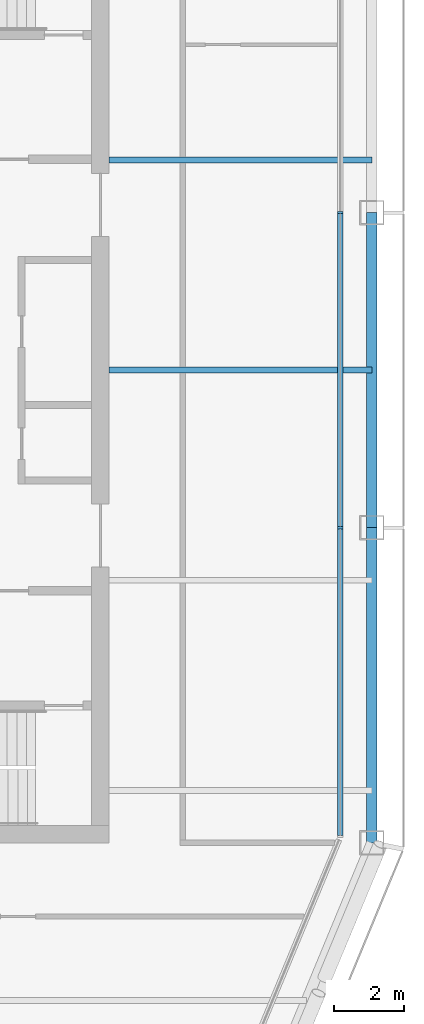
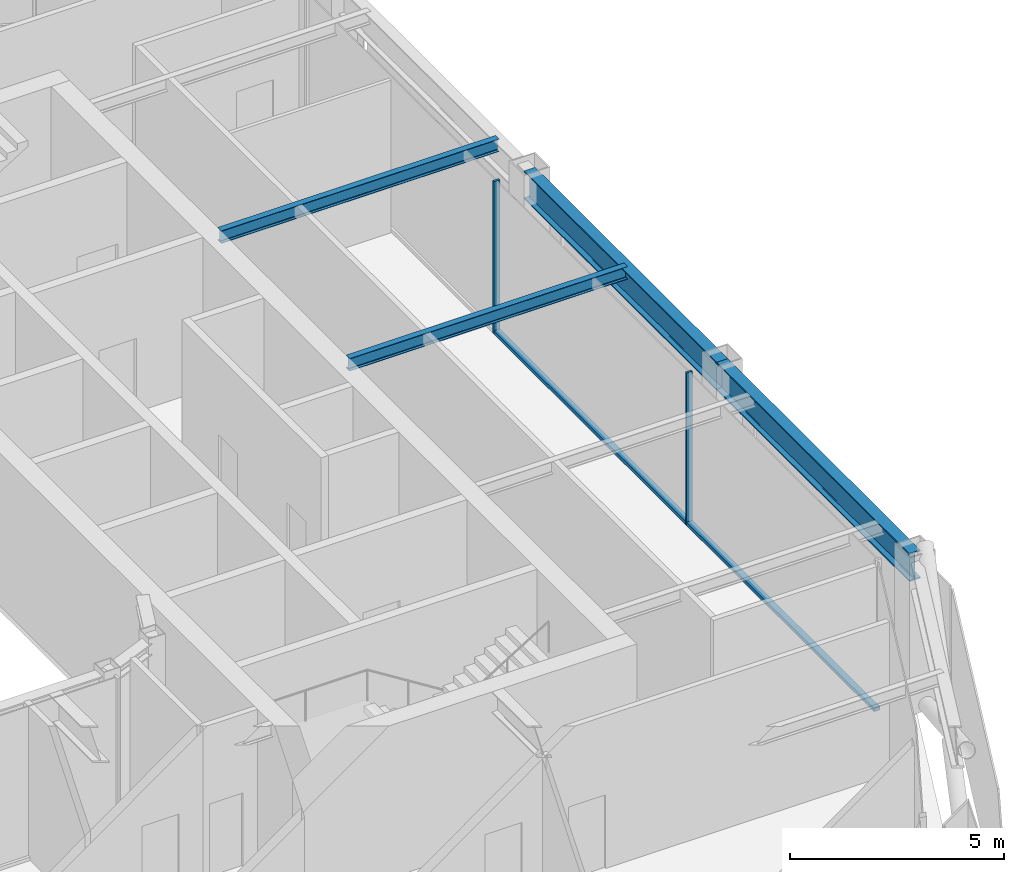
# One storey, part 6 of 22: 4 beams, 4 members, 1 element without a shape of its own.
"""IFC4 building model written with IfcOpenShell, lengths in metres."""

from ifc_helpers import new_model, si_unit, direction, frame, origin, origin_2d, place, context, subcontext, project, spatial, rectangle, i_section, extrude, material, layer, layer_set, material_profile, profile_set, type_object, element, aggregate, save


model = new_model("IFC4")

# Units and contexts
model_context = context("Model", 3, precision=1e-05, world=origin(), true_north=direction((0.0, 1.0)))
body_context = subcontext(model_context, "Body", "Model", "MODEL_VIEW")
ifc_project = project(units=[si_unit("LENGTHUNIT", "METRE"), si_unit("AREAUNIT", "SQUARE_METRE"), si_unit("VOLUMEUNIT", "CUBIC_METRE"), si_unit("PLANEANGLEUNIT", "RADIAN"), si_unit("MASSUNIT", "GRAM", prefix="KILO")], contexts=[model_context])

# Site, building, storey
site_placement = place(None, origin())
site = spatial("IfcSite", under=ifc_project, at=site_placement, CompositionType="ELEMENT")
building_placement = place(site_placement, origin())
building = spatial("IfcBuilding", under=site, at=building_placement, Name="Siwar Civic Tower", CompositionType="ELEMENT")
storey_placement = place(building_placement, frame((0.0, 0.0, 330.199951171875)))
storey = spatial("IfcBuildingStorey", under=building, at=storey_placement, Name="L71", CompositionType="ELEMENT", Elevation=330.199951171875)

# Curtain wall, members
ifc_material_1 = material(Name="Aluminium and glass", Category="aluminium")
ifc_layer = layer(ifc_material_1, 0.159912109375)
ifc_layer_set = layer_set([ifc_layer], Name="Aluminium and glass")
curtain_wall_type = type_object("IfcCurtainWallType", Name="ENV-CW-D", PredefinedType="NOTDEFINED", material=ifc_layer_set)
curtain_wall_placement = place(storey_placement, origin())
curtain_wall = element("IfcCurtainWall", 1, at=curtain_wall_placement, inside=storey, type_object=curtain_wall_type, Name="Curtain wall D E", PredefinedType="NOTDEFINED")
ifc_material_2 = material(Name="Aluminium 6063-T6", Category="aluminium")
ifc_material_profile_1 = material_profile(ifc_material_2, rectangle(XDim=0.159912109375, YDim=0.06005859375, at=origin_2d()), Name="AL 160x60")
ifc_profile_set_1 = profile_set([ifc_material_profile_1], Name="Aluminium 6063-T6")
member_type_1 = type_object("IfcMemberType", Name="ENV-MULLION-D", PredefinedType="MULLION", material=ifc_profile_set_1)
member_1_placement = place(storey_placement, frame((23.85009765625, -4.5, 0.0), z_axis=(0.0, 0.0, 1.0), x_axis=(-1.0, 0.0, 0.0)))
member_1 = element("IfcMember", 2, at=member_1_placement, type_object=member_type_1, Name="Mullion D E 2", PredefinedType="MULLION", context=body_context, shape_type="SweptSolid", body=[
    extrude(rectangle(XDim=0.159912109375, YDim=0.06005859375, at=origin_2d()), origin(), (0.0, 0.0, 1.0), 4.35009765625),
])
member_2_placement = place(storey_placement, frame((23.85009765625, 4.5, 0.0), z_axis=(0.0, 0.0, 1.0), x_axis=(-1.0, 0.0, 0.0)))
member_2 = element("IfcMember", 3, at=member_2_placement, type_object=member_type_1, Name="Mullion D E 3", PredefinedType="MULLION", context=body_context, shape_type="SweptSolid", body=[
    extrude(rectangle(XDim=0.159912109375, YDim=0.06005859375, at=origin_2d()), origin(), (0.0, 0.0, 1.0), 4.35009765625),
])
ifc_material_3 = material(Name="Aluminium 6063-T6", Category="aluminium")
ifc_material_profile_2 = material_profile(ifc_material_3, rectangle(XDim=0.159912109375, YDim=0.10009765625, at=origin_2d()), Name="AL 160x100")
ifc_profile_set_2 = profile_set([ifc_material_profile_2], Name="Aluminium 6063-T6")
member_type_2 = type_object("IfcMemberType", Name="ENV-TRANSOM-D", PredefinedType="USERDEFINED", material=ifc_profile_set_2)
member_3_placement = place(storey_placement, frame((23.85009765625, -13.291015625, 0.050048828125), z_axis=(0.0, 1.0, 0.0), x_axis=(-1.0, 0.0, 0.0)))
member_3 = element("IfcMember", 4, at=member_3_placement, type_object=member_type_2, Name="Transom D E 1", ObjectType="TRANSOM", PredefinedType="USERDEFINED", context=body_context, shape_type="SweptSolid", body=[
    extrude(rectangle(XDim=0.159912109375, YDim=0.10009765625, at=origin_2d()), origin(), (0.0, 0.0, 1.0), 8.760986328125),
])
member_4_placement = place(storey_placement, frame((23.85009765625, -4.469970703125, 0.050048828125), z_axis=(0.0, 1.0, 0.0), x_axis=(-1.0, 0.0, 0.0)))
member_4 = element("IfcMember", 5, at=member_4_placement, type_object=member_type_2, Name="Transom D E 2", ObjectType="TRANSOM", PredefinedType="USERDEFINED", context=body_context, shape_type="SweptSolid", body=[
    extrude(rectangle(XDim=0.159912109375, YDim=0.10009765625, at=origin_2d()), origin(), (0.0, 0.0, 1.0), 8.93994140625),
])
aggregate(curtain_wall, [member_1, member_2, member_3, member_4])

# Beams
ifc_material_4 = material(Name="Steel S355", Category="steel")
ifc_material_profile_3 = material_profile(ifc_material_4, i_section(OverallWidth=0.169921875, OverallDepth=0.360107421875, WebThickness=0.008056640625, FlangeThickness=0.0126953125, FilletRadius=0.01806640625, at=origin_2d()), Name="IPE360")
ifc_profile_set_3 = profile_set([ifc_material_profile_3], Name="Steel S355")
beam_type_1 = type_object("IfcBeamType", Name="STR-FB-IPE360", PredefinedType="JOIST", material=ifc_profile_set_3)
for number, where, z_axis, x_axis, name in (
    (6, (17.25, 0.0, 4.170166015625), (1.0, 0.0, 0.0), (0.0, 1.0, 0.0), "L71/bm/F019"),
    (7, (17.25, 6.0, 4.170166015625), (1.0, 0.0, 0.0), (0.0, 1.0, 0.0), "L71/bm/F021"),
):
    element("IfcBeam", number, at=place(storey_placement, frame(where, z_axis=z_axis, x_axis=x_axis)), inside=storey, type_object=beam_type_1, Name=name, PredefinedType="JOIST", context=body_context, shape_type="SweptSolid", body=[
        extrude(i_section(OverallWidth=0.169921875, OverallDepth=0.360107421875, WebThickness=0.008056640625, FlangeThickness=0.0126953125, FilletRadius=0.01806640625, at=origin_2d()), origin(), (0.0, 0.0, 1.0), 7.5),
    ])
ifc_material_5 = material(Name="Steel S355", Category="steel")
ifc_material_profile_4 = material_profile(ifc_material_5, i_section(OverallWidth=0.300048828125, OverallDepth=0.800048828125, WebThickness=0.017578125, FlangeThickness=0.032958984375, FilletRadius=0.030029296875, at=origin_2d()), Name="HEB800")
ifc_profile_set_4 = profile_set([ifc_material_profile_4], Name="Steel S355")
beam_type_2 = type_object("IfcBeamType", Name="STR-SB-HEB800", PredefinedType="BEAM", material=ifc_profile_set_4)
for number, where, z_axis, x_axis, name in (
    (8, (24.75, -13.5, 3.949951171875), (0.0, 1.0, 0.0), (-1.0, 0.0, 0.0), "L71/bm/SE-0"),
    (9, (24.75, -4.5, 3.949951171875), (0.0, 1.0, 0.0), (-1.0, 0.0, 0.0), "L71/bm/SE-1"),
):
    element("IfcBeam", number, at=place(storey_placement, frame(where, z_axis=z_axis, x_axis=x_axis)), inside=storey, type_object=beam_type_2, Name=name, PredefinedType="BEAM", context=body_context, shape_type="SweptSolid", body=[
        extrude(i_section(OverallWidth=0.300048828125, OverallDepth=0.800048828125, WebThickness=0.017578125, FlangeThickness=0.032958984375, FilletRadius=0.030029296875, at=origin_2d()), origin(), (0.0, 0.0, 1.0), 9.0),
    ])

save(model, "model.ifc")
